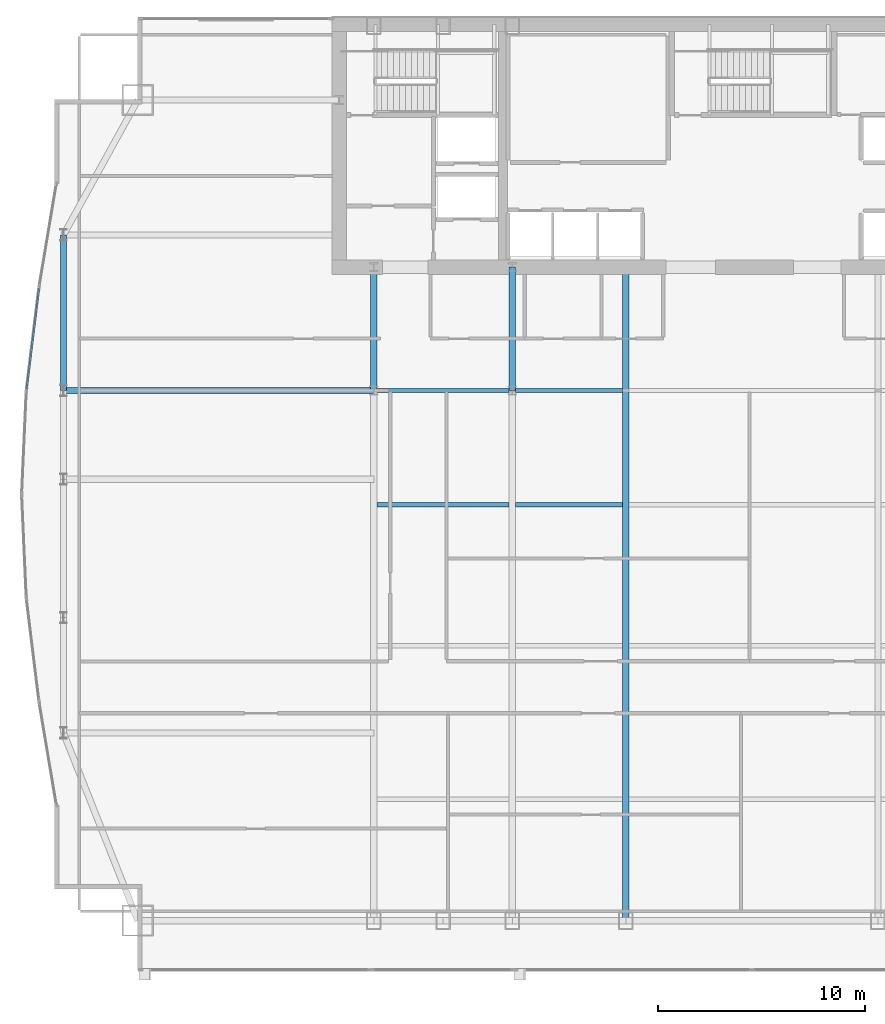
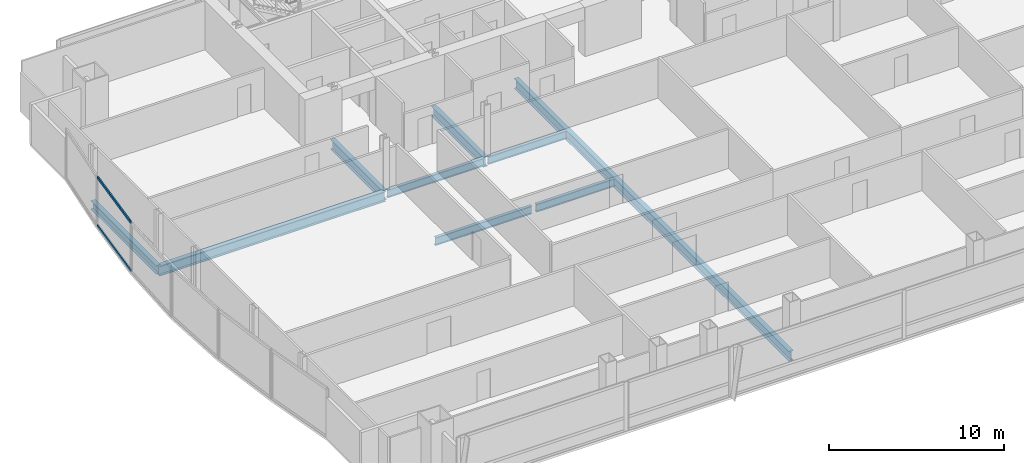
# One storey, part 12 of 31: 9 beams, 2 members, 1 element without a shape of its own.
"""IFC4 building model written with IfcOpenShell, lengths in metres."""

from ifc_helpers import new_model, si_unit, direction, frame, origin, origin_2d, place, context, subcontext, project, spatial, hollow_rectangle, i_section, extrude, material, material_profile, profile_set, type_object, element, aggregate, save


model = new_model("IFC4")

# Units and contexts
model_context = context("Model", 3, precision=1e-05, world=origin(), true_north=direction((0.0, 1.0)))
body_context = subcontext(model_context, "Body", "Model", "MODEL_VIEW")
ifc_project = project(units=[si_unit("LENGTHUNIT", "METRE"), si_unit("AREAUNIT", "SQUARE_METRE"), si_unit("VOLUMEUNIT", "CUBIC_METRE"), si_unit("PLANEANGLEUNIT", "RADIAN"), si_unit("MASSUNIT", "GRAM", prefix="KILO")], contexts=[model_context])

# Site, building, storey
site_placement = place(None, origin())
site = spatial("IfcSite", under=ifc_project, at=site_placement, CompositionType="ELEMENT")
building_placement = place(site_placement, origin())
building = spatial("IfcBuilding", under=site, at=building_placement, Name="Khoronbel Lancet Exchange", CompositionType="ELEMENT")
storey_placement = place(building_placement, frame((0.0, 0.0, 121.800048828125)))
storey = spatial("IfcBuildingStorey", under=building, at=storey_placement, Name="L29", CompositionType="ELEMENT", Elevation=121.800048828125)

# Beams
ifc_material_1 = material(Name="Steel S355", Category="steel")
ifc_material_profile_1 = material_profile(ifc_material_1, i_section(OverallWidth=0.300048828125, OverallDepth=0.699951171875, WebThickness=0.01708984375, FlangeThickness=0.031982421875, at=origin_2d()), Name="HEB 700")
ifc_profile_set_1 = profile_set([ifc_material_profile_1], Name="Steel S355")
beam_type_1 = type_object("IfcBeamType", Name="BM-BG3", PredefinedType="BEAM", material=ifc_profile_set_1)
for number, where, z_axis, x_axis, name in (
    (1, (18.22509765625, 35.699951171875, -0.510009765625), (0.0, 1.0, 0.0), (-1.0, 0.0, 0.0), "Level L29 spine tie girder GN1"),
    (2, (24.89990234375, 35.699951171875, -0.510009765625), (0.0, 1.0, 0.0), (-1.0, 0.0, 0.0), "Level L29 spine tie girder GN2"),
):
    element("IfcBeam", number, at=place(storey_placement, frame(where, z_axis=z_axis, x_axis=x_axis)), inside=storey, type_object=beam_type_1, Name=name, PredefinedType="BEAM", context=body_context, shape_type="SweptSolid", body=[
        extrude(i_section(OverallWidth=0.300048828125, OverallDepth=0.699951171875, WebThickness=0.01708984375, FlangeThickness=0.031982421875, at=origin_2d()), origin(), (0.0, 0.0, 1.0), 5.949951171875),
    ])
beam_1_placement = place(storey_placement, frame((30.375, 10.14990234375, -0.510009765625), z_axis=(0.0, 1.0, 0.0), x_axis=(-1.0, 0.0, 0.0)))
element("IfcBeam", 3, at=beam_1_placement, inside=storey, type_object=beam_type_1, Name="Level L29 primary floor girder G3", PredefinedType="BEAM", context=body_context, shape_type="SweptSolid", body=[
    extrude(i_section(OverallWidth=0.300048828125, OverallDepth=0.699951171875, WebThickness=0.01708984375, FlangeThickness=0.031982421875, at=origin_2d()), origin(), (0.0, 0.0, 1.0), 31.5),
])
beam_2_placement = place(storey_placement, frame((3.27001953125, 35.699951171875, -0.510009765625), z_axis=(1.0, 0.0, 0.0), x_axis=(0.0, 1.0, 0.0)))
element("IfcBeam", 4, at=beam_2_placement, inside=storey, type_object=beam_type_1, Name="Level L29 west lens tie girder LG4W", PredefinedType="BEAM", context=body_context, shape_type="SweptSolid", body=[
    extrude(i_section(OverallWidth=0.300048828125, OverallDepth=0.699951171875, WebThickness=0.01708984375, FlangeThickness=0.031982421875, at=origin_2d()), origin(), (0.0, 0.0, 1.0), 14.955078125),
])
ifc_material_profile_2 = material_profile(ifc_material_1, i_section(OverallWidth=0.2099609375, OverallDepth=0.550048828125, WebThickness=0.010986328125, FlangeThickness=0.01708984375, at=origin_2d()), Name="IPE 550")
ifc_profile_set_2 = profile_set([ifc_material_profile_2], Name="Steel S355")
beam_type_2 = type_object("IfcBeamType", Name="BM-BJ2", PredefinedType="JOIST", material=ifc_profile_set_2)
beam_3_placement = place(storey_placement, frame((18.375, 30.199951171875, -0.43505859375), z_axis=(1.0, 0.0, 0.0), x_axis=(0.0, 1.0, 0.0)))
element("IfcBeam", 5, at=beam_3_placement, inside=storey, type_object=beam_type_2, Name="Level L29 secondary composite joist J11", PredefinedType="JOIST", context=body_context, shape_type="SweptSolid", body=[
    extrude(i_section(OverallWidth=0.2099609375, OverallDepth=0.550048828125, WebThickness=0.010986328125, FlangeThickness=0.01708984375, at=origin_2d()), origin(), (0.0, 0.0, 1.0), 6.375),
])
beam_4_placement = place(storey_placement, frame((25.050048828125, 30.199951171875, -0.43505859375), z_axis=(1.0, 0.0, 0.0), x_axis=(0.0, 1.0, 0.0)))
element("IfcBeam", 6, at=beam_4_placement, inside=storey, type_object=beam_type_2, Name="Level L29 secondary composite joist J12", PredefinedType="JOIST", context=body_context, shape_type="SweptSolid", body=[
    extrude(i_section(OverallWidth=0.2099609375, OverallDepth=0.550048828125, WebThickness=0.010986328125, FlangeThickness=0.01708984375, at=origin_2d()), origin(), (0.0, 0.0, 1.0), 5.175048828125),
])
beam_5_placement = place(storey_placement, frame((18.375, 35.699951171875, -0.43505859375), z_axis=(1.0, 0.0, 0.0), x_axis=(0.0, 1.0, 0.0)))
element("IfcBeam", 7, at=beam_5_placement, inside=storey, type_object=beam_type_2, Name="Level L29 secondary composite joist J16", PredefinedType="JOIST", context=body_context, shape_type="SweptSolid", body=[
    extrude(i_section(OverallWidth=0.2099609375, OverallDepth=0.550048828125, WebThickness=0.010986328125, FlangeThickness=0.01708984375, at=origin_2d()), origin(), (0.0, 0.0, 1.0), 6.375),
])
beam_6_placement = place(storey_placement, frame((25.050048828125, 35.699951171875, -0.43505859375), z_axis=(1.0, 0.0, 0.0), x_axis=(0.0, 1.0, 0.0)))
element("IfcBeam", 8, at=beam_6_placement, inside=storey, type_object=beam_type_2, Name="Level L29 secondary composite joist J17", PredefinedType="JOIST", context=body_context, shape_type="SweptSolid", body=[
    extrude(i_section(OverallWidth=0.2099609375, OverallDepth=0.550048828125, WebThickness=0.010986328125, FlangeThickness=0.01708984375, at=origin_2d()), origin(), (0.0, 0.0, 1.0), 5.175048828125),
])
ifc_material_profile_3 = material_profile(ifc_material_1, i_section(OverallWidth=0.300048828125, OverallDepth=0.60009765625, WebThickness=0.015380859375, FlangeThickness=0.030029296875, at=origin_2d()), Name="HEB 600")
ifc_profile_set_3 = profile_set([ifc_material_profile_3], Name="Steel S355")
beam_type_3 = type_object("IfcBeamType", Name="BM-BSP2", PredefinedType="SPANDREL", material=ifc_profile_set_3)
beam_7_placement = place(storey_placement, frame((3.27001953125, 43.199951171875, -0.4599609375), z_axis=(0.0, -1.0, 0.0), x_axis=(1.0, 0.0, 0.0)))
element("IfcBeam", 9, at=beam_7_placement, inside=storey, type_object=beam_type_3, Name="Level L29 perimeter spandrel beam SP17", PredefinedType="SPANDREL", context=body_context, shape_type="SweptSolid", body=[
    extrude(i_section(OverallWidth=0.300048828125, OverallDepth=0.60009765625, WebThickness=0.015380859375, FlangeThickness=0.030029296875, at=origin_2d()), origin(), (0.0, 0.0, 1.0), 7.5),
])

# Curtain wall, members
ifc_material_2 = material(Name="Low-E Solar Control Insulating Glass", Category="glass")
curtain_wall_type = type_object("IfcCurtainWallType", Name="CW-4", PredefinedType="NOTDEFINED", material=ifc_material_2)
curtain_wall_placement = place(storey_placement, origin())
curtain_wall = element("IfcCurtainWall", 10, at=curtain_wall_placement, inside=storey, type_object=curtain_wall_type, Name="Unitised curtain wall CW-L29-E08", PredefinedType="NOTDEFINED")
ifc_material_3 = material(Name="Bronze-Anodised Aluminium 6063-T6", Category="aluminium")
ifc_material_profile_4 = material_profile(ifc_material_3, hollow_rectangle(XDim=0.0849609375, YDim=0.179931640625, WallThickness=0.0048828125, at=origin_2d()), Name="ALU TRANSOM 85x180")
ifc_profile_set_4 = profile_set([ifc_material_profile_4], Name="Bronze-Anodised Aluminium 6063-T6")
member_type = type_object("IfcMemberType", Name="MEM-CWT1", PredefinedType="USERDEFINED", material=ifc_profile_set_4)
member_1_placement = place(storey_placement, frame((1.497314453125, 35.766845703125, 0.04248046875), z_axis=(0.121818700606, 0.992552368484, 0.0), x_axis=(-0.992552368484, 0.121818700606, 0.0)))
member_1 = element("IfcMember", 11, at=member_1_placement, type_object=member_type, Name="CW4 transom 1.1", ObjectType="TRANSOM", PredefinedType="USERDEFINED", context=body_context, shape_type="SweptSolid", body=[
    extrude(hollow_rectangle(XDim=0.0849609375, YDim=0.179931640625, WallThickness=0.0048828125, at=origin_2d()), origin(), (0.0, 0.0, 1.0), 4.882080078125),
])
member_2_placement = place(storey_placement, frame((1.497314453125, 35.766845703125, 3.3974609375), z_axis=(0.121818700606, 0.992552368484, 0.0), x_axis=(-0.992552368484, 0.121818700606, 0.0)))
member_2 = element("IfcMember", 12, at=member_2_placement, type_object=member_type, Name="CW4 transom 1.2", ObjectType="TRANSOM", PredefinedType="USERDEFINED", context=body_context, shape_type="SweptSolid", body=[
    extrude(hollow_rectangle(XDim=0.0849609375, YDim=0.179931640625, WallThickness=0.0048828125, at=origin_2d()), origin(), (0.0, 0.0, 1.0), 4.882080078125),
])
aggregate(curtain_wall, [member_1, member_2])

save(model, "model.ifc")
